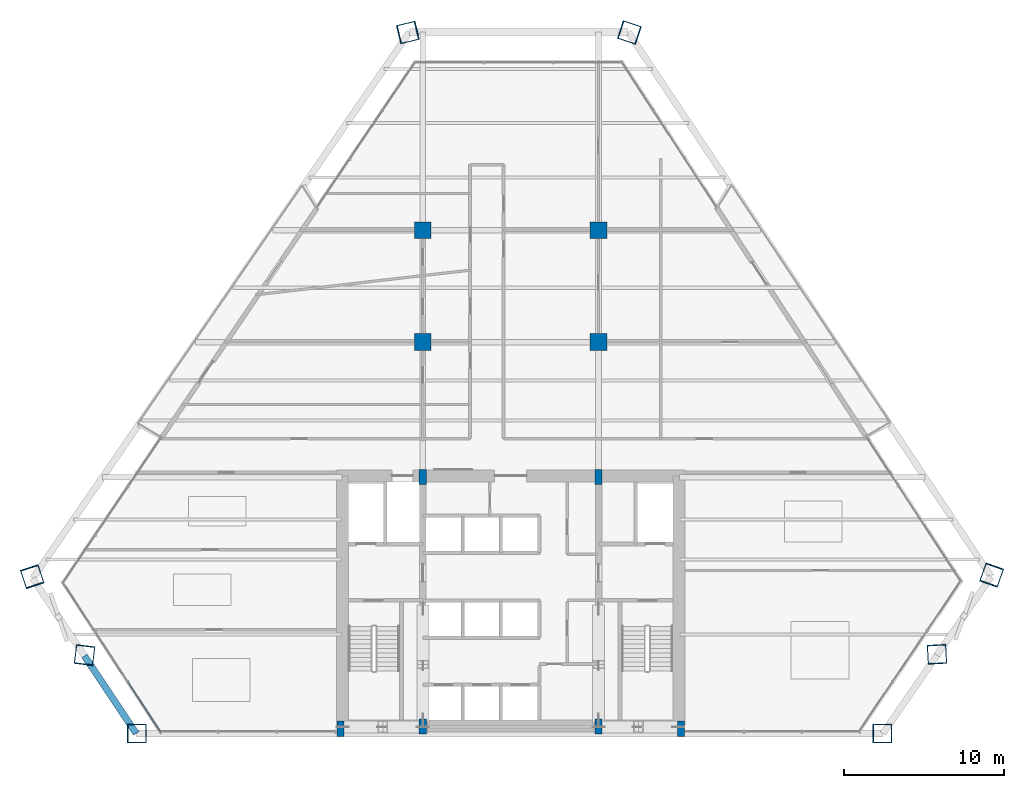
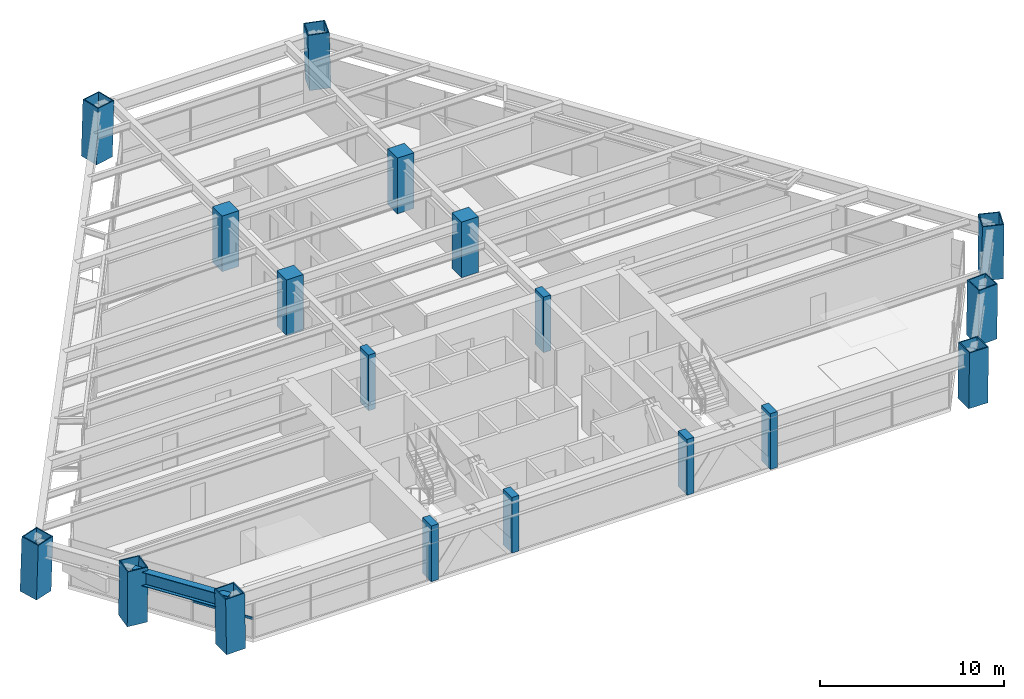
# One storey, part 1 of 14: 18 columns, 1 beam, 1 member, 1 element without a shape of its own.
"""IFC4 building model written with IfcOpenShell, lengths in metres."""

from ifc_helpers import new_model, si_unit, direction, frame, origin, origin_2d, place, context, subcontext, project, spatial, rectangle, hollow_rectangle, i_section, extrude, source, transform, mapped, material, material_profile, profile_set, type_object, type_shapes, element, aggregate, save


model = new_model("IFC4")

# Units and contexts
model_context = context("Model", 3, precision=1e-05, world=origin(), true_north=direction((0.0, 1.0)))
body_context = subcontext(model_context, "Body", "Model", "MODEL_VIEW")
ifc_project = project(units=[si_unit("LENGTHUNIT", "METRE"), si_unit("AREAUNIT", "SQUARE_METRE"), si_unit("VOLUMEUNIT", "CUBIC_METRE"), si_unit("PLANEANGLEUNIT", "RADIAN"), si_unit("MASSUNIT", "GRAM", prefix="KILO")], contexts=[model_context])

# Site, building, storey
site_placement = place(None, origin())
site = spatial("IfcSite", under=ifc_project, at=site_placement, CompositionType="ELEMENT")
building_placement = place(site_placement, origin())
building = spatial("IfcBuilding", under=site, at=building_placement, Name="Varnakhor Terracotta Tower", CompositionType="ELEMENT")
storey_placement = place(building_placement, frame((0.0, 0.0, 80.300048828125)))
storey = spatial("IfcBuildingStorey", under=building, at=storey_placement, Name="L19", CompositionType="ELEMENT", Elevation=80.300048828125)

# Columns
ifc_material_1 = material(Name="Concrete C50/60", Category="concrete")
ifc_material_profile_1 = material_profile(ifc_material_1, rectangle(XDim=0.449951171875, YDim=0.949951171875, at=origin_2d()), Name="RC PILASTER 950x450")
ifc_profile_set_1 = profile_set([ifc_material_profile_1], Name="Concrete C50/60")
column_type_1 = type_object("IfcColumnType", Name="COL-PIL-950x450", PredefinedType="PILASTER", material=ifc_profile_set_1)
shared_shape_1 = source(origin(), body_context, "Body", "SweptSolid", [
    extrude(rectangle(XDim=0.449951171875, YDim=0.949951171875, at=origin_2d()), origin(), (0.0, 0.0, 1.0), 3.699951171875),
])
for number, where, z_axis, x_axis, name in (
    (1, (-10.64990234375, 0.300048828125, 0.0), (0.0, 0.0, 1.0), (1.0, 0.0, 0.0), "L19 Core Pilaster CP1"),
    (2, (-5.5, 0.449951171875, 0.0), (0.0, 0.0, 1.0), (1.0, 0.0, 0.0), "L19 Core Pilaster CP2"),
    (3, (5.5, 0.449951171875, 0.0), (0.0, 0.0, 1.0), (1.0, 0.0, 0.0), "L19 Core Pilaster CP3"),
    (4, (10.64990234375, 0.300048828125, 0.0), (0.0, 0.0, 1.0), (1.0, 0.0, 0.0), "L19 Core Pilaster CP4"),
    (5, (-5.5, 16.050048828125, 0.0), (0.0, 0.0, 1.0), (1.0, 0.0, 0.0), "L19 Core Pilaster CP5"),
    (6, (5.5, 16.050048828125, 0.0), (0.0, 0.0, 1.0), (1.0, 0.0, 0.0), "L19 Core Pilaster CP6"),
):
    element("IfcColumn", number, at=place(storey_placement, frame(where, z_axis=z_axis, x_axis=x_axis)), inside=storey, type_object=column_type_1, Name=name, PredefinedType="PILASTER", context=body_context, shape_type="MappedRepresentation", body=[
        mapped(shared_shape_1, transform((0.0, 0.0, 0.0), scale=1.0)),
    ])
ifc_material_2 = material(Name="Concrete C60/75", Category="concrete")
ifc_material_profile_2 = material_profile(ifc_material_2, rectangle(XDim=1.050048828125, YDim=1.050048828125, at=origin_2d()), Name="RC 1050x1050")
ifc_profile_set_2 = profile_set([ifc_material_profile_2], Name="Concrete C60/75")
column_type_2 = type_object("IfcColumnType", Name="COL-RC-1050", PredefinedType="COLUMN", material=ifc_profile_set_2)
shared_shape_2 = source(origin(), body_context, "Body", "SweptSolid", [
    extrude(rectangle(XDim=1.050048828125, YDim=1.050048828125, at=origin_2d()), origin(), (0.0, 0.0, 1.0), 3.699951171875),
])
for number, where, z_axis, x_axis, name in (
    (7, (-5.5, 24.5, 0.0), (0.0, 0.0, 1.0), (1.0, 0.0, 0.0), "L19 Interior Tower Column IC1"),
    (8, (5.5, 24.5, 0.0), (0.0, 0.0, 1.0), (1.0, 0.0, 0.0), "L19 Interior Tower Column IC2"),
    (9, (-5.5, 31.5, 0.0), (0.0, 0.0, 1.0), (1.0, 0.0, 0.0), "L19 Interior Tower Column IC3"),
    (10, (5.5, 31.5, 0.0), (0.0, 0.0, 1.0), (1.0, 0.0, 0.0), "L19 Interior Tower Column IC4"),
):
    element("IfcColumn", number, at=place(storey_placement, frame(where, z_axis=z_axis, x_axis=x_axis)), inside=storey, type_object=column_type_2, Name=name, PredefinedType="COLUMN", context=body_context, shape_type="MappedRepresentation", body=[
        mapped(shared_shape_2, transform((0.0, 0.0, 0.0), scale=1.0)),
    ])
ifc_material_3 = material(Name="Steel S460", Category="steel")
ifc_material_profile_3 = material_profile(ifc_material_3, hollow_rectangle(XDim=1.199951171875, YDim=1.199951171875, WallThickness=0.06005859375, at=origin_2d()), Name="BOX 1200x1200x60")
ifc_profile_set_3 = profile_set([ifc_material_profile_3], Name="Steel S460")
column_type_3 = type_object("IfcColumnType", Name="COL-MEGA-1200", PredefinedType="COLUMN", material=ifc_profile_set_3)
shared_shape_3 = source(origin(), body_context, "Body", "SweptSolid", [
    extrude(hollow_rectangle(XDim=1.199951171875, YDim=1.199951171875, WallThickness=0.06005859375, at=origin_2d()), origin(), (0.0, 0.0, 1.0), 3.691650390625),
])
type_shapes(column_type_3, [shared_shape_3])
for number, where, z_axis, x_axis, name in (
    (11, (-23.382568359375, 0.0, 0.00439453125), (-0.015541478777, 0.0, 0.999879223925), (0.0, -1.0, 0.0), "L19 Perimeter Mega-Column M1"),
    (12, (26.6796875, 4.96875, 0.00439453125), (0.000859732037, -0.016202642235, 0.999868358958), (0.998595218897, 0.052986685084, 0.0), "L19 Perimeter Mega-Column M3"),
    (13, (-26.66845703125, 4.919677734375, 0.00439453125), (-0.002116226866, -0.017128211193, 0.999851061891), (0.992453723463, -0.122619765061, 0.0), "L19 Perimeter Mega-Column M8"),
):
    element("IfcColumn", number, at=place(storey_placement, frame(where, z_axis=z_axis, x_axis=x_axis)), inside=storey, type_object=column_type_3, Name=name, PredefinedType="COLUMN", context=body_context, shape_type="MappedRepresentation", body=[
        mapped(shared_shape_3, transform((0.0, 0.0, 0.0), scale=1.0)),
    ])
shared_shape_4 = source(origin(), body_context, "Body", "SweptSolid", [
    extrude(hollow_rectangle(XDim=1.199951171875, YDim=1.199951171875, WallThickness=0.06005859375, at=origin_2d()), origin(), (0.0, 0.0, 1.0), 3.69140625),
])
column_1_placement = place(storey_placement, frame((23.2490234375, 0.0, 0.00439453125), z_axis=(0.013161106184, 0.0, 0.999913388891), x_axis=(0.0, 1.0, 0.0)))
element("IfcColumn", 14, at=column_1_placement, inside=storey, type_object=column_type_3, Name="L19 Perimeter Mega-Column M2", PredefinedType="COLUMN", context=body_context, shape_type="MappedRepresentation", body=[
    mapped(shared_shape_4, transform((0.0, 0.0, 0.0), scale=1.0)),
])
shared_shape_5 = source(origin(), body_context, "Body", "SweptSolid", [
    extrude(hollow_rectangle(XDim=1.199951171875, YDim=1.199951171875, WallThickness=0.06005859375, at=origin_2d()), origin(), (0.0, 0.0, 1.0), 3.693359375),
])
column_2_placement = place(storey_placement, frame((30.110107421875, 9.9375, 0.00439453125), z_axis=(-0.01136970876, -0.032390449374, 0.999410620572), x_axis=(0.943557757349, -0.33120802911, 0.0)))
element("IfcColumn", 15, at=column_2_placement, inside=storey, type_object=column_type_3, Name="L19 Perimeter Mega-Column M4", PredefinedType="COLUMN", context=body_context, shape_type="MappedRepresentation", body=[
    mapped(shared_shape_5, transform((0.0, 0.0, 0.0), scale=1.0)),
])
shared_shape_6 = source(origin(), body_context, "Body", "SweptSolid", [
    extrude(hollow_rectangle(XDim=1.199951171875, YDim=1.199951171875, WallThickness=0.06005859375, at=origin_2d()), origin(), (0.0, 0.0, 1.0), 3.6923828125),
])
column_3_placement = place(storey_placement, frame((7.44384765625, 43.873291015625, 0.00439453125), z_axis=(-0.024332261238, 0.007934433012, 0.99967243927), x_axis=(-0.310020599831, -0.950729839481, 0.0)))
element("IfcColumn", 16, at=column_3_placement, inside=storey, type_object=column_type_3, Name="L19 Perimeter Mega-Column M5", PredefinedType="COLUMN", context=body_context, shape_type="MappedRepresentation", body=[
    mapped(shared_shape_6, transform((0.0, 0.0, 0.0), scale=1.0)),
])
shared_shape_7 = source(origin(), body_context, "Body", "SweptSolid", [
    extrude(hollow_rectangle(XDim=1.199951171875, YDim=1.199951171875, WallThickness=0.06005859375, at=origin_2d()), origin(), (0.0, 0.0, 1.0), 3.693603515625),
])
column_4_placement = place(storey_placement, frame((-29.954345703125, 9.839111328125, 0.00439453125), z_axis=(0.011302942868, -0.034173224928, 0.999352007143), x_axis=(0.94941529591, 0.314023241007, 0.0)))
element("IfcColumn", 17, at=column_4_placement, inside=storey, type_object=column_type_3, Name="L19 Perimeter Mega-Column M7", PredefinedType="COLUMN", context=body_context, shape_type="MappedRepresentation", body=[
    mapped(shared_shape_7, transform((0.0, 0.0, 0.0), scale=1.0)),
])
shared_shape_8 = source(origin(), body_context, "Body", "SweptSolid", [
    extrude(hollow_rectangle(XDim=1.199951171875, YDim=1.199951171875, WallThickness=0.06005859375, at=origin_2d()), origin(), (0.0, 0.0, 1.0), 3.693115234375),
])
column_5_placement = place(storey_placement, frame((-6.455810546875, 43.873291015625, 0.00439453125), z_axis=(0.032523594684, 0.007932584069, 0.999439487862), x_axis=(-0.236956180191, 0.971520338783, 0.0)))
element("IfcColumn", 18, at=column_5_placement, inside=storey, type_object=column_type_3, Name="L19 Perimeter Mega-Column M6", PredefinedType="COLUMN", context=body_context, shape_type="MappedRepresentation", body=[
    mapped(shared_shape_8, transform((0.0, 0.0, 0.0), scale=1.0)),
])

# Beam
ifc_material_4 = material(Name="Steel S355", Category="steel")
ifc_material_profile_4 = material_profile(ifc_material_4, i_section(OverallWidth=0.41796875, OverallDepth=0.927001953125, WebThickness=0.01904296875, FlangeThickness=0.031982421875, FilletRadius=0.01806640625, at=origin_2d()), Name="W36X231")
ifc_profile_set_4 = profile_set([ifc_material_profile_4], Name="Steel S355")
beam_type = type_object("IfcBeamType", Name="BM-W36X231", PredefinedType="BEAM", material=ifc_profile_set_4)
shared_shape_9 = source(origin(), body_context, "Body", "SweptSolid", [
    extrude(i_section(OverallWidth=0.41796875, OverallDepth=0.927001953125, WebThickness=0.01904296875, FlangeThickness=0.031982421875, FilletRadius=0.01806640625, at=origin_2d()), origin(), (0.0, 0.0, 1.0), 5.8359375),
])
beam_placement = place(storey_placement, frame((-26.67626953125, 4.8564453125, 2.986572265625), z_axis=(0.554545724277, -0.832153254927, 0.0), x_axis=(0.832153254927, 0.554545724277, 0.0)))
element("IfcBeam", 19, at=beam_placement, inside=storey, type_object=beam_type, Name="L19 Perimeter Spandrel 8", PredefinedType="BEAM", context=body_context, shape_type="MappedRepresentation", body=[
    mapped(shared_shape_9, transform((0.0, 0.0, 0.0), scale=1.0)),
])

# Curtain wall, member
ifc_material_5 = material(Name="Anodised Aluminium Curtain Wall System", Category="aluminium")
curtain_wall_type = type_object("IfcCurtainWallType", Name="CW-SYS-LOW-OFFICE", PredefinedType="NOTDEFINED", material=ifc_material_5)
curtain_wall_placement = place(storey_placement, origin())
curtain_wall = element("IfcCurtainWall", 20, at=curtain_wall_placement, inside=storey, type_object=curtain_wall_type, Name="L19 Facet Curtain Wall 6", PredefinedType="NOTDEFINED")
ifc_material_6 = material(Name="Anodised Aluminium 6063-T6", Category="aluminium")
ifc_material_profile_5 = material_profile(ifc_material_6, rectangle(XDim=0.074951171875, YDim=0.1650390625, at=origin_2d()), Name="ALU TRANSOM 75x165")
ifc_profile_set_5 = profile_set([ifc_material_profile_5], Name="Anodised Aluminium 6063-T6")
member_type = type_object("IfcMemberType", Name="CWT-02", PredefinedType="USERDEFINED", material=ifc_profile_set_5)
shared_shape_10 = source(origin(), body_context, "Body", "SweptSolid", [
    extrude(rectangle(XDim=0.074951171875, YDim=0.1650390625, at=origin_2d()), origin(), (0.0, 0.0, 1.0), 3.74169921875),
])
member_placement = place(storey_placement, frame((-21.898681640625, 0.0908203125, 1.2724609375), z_axis=(-0.546860778774, 0.837223559534, 0.0), x_axis=(-0.837223559534, -0.546860778774, 0.0)))
member = element("IfcMember", 21, at=member_placement, type_object=member_type, Name="L19 Facet Curtain Wall 6 Transom 1", ObjectType="TRANSOM", PredefinedType="USERDEFINED", context=body_context, shape_type="MappedRepresentation", body=[
    mapped(shared_shape_10, transform((0.0, 0.0, 0.0), scale=1.0)),
])
aggregate(curtain_wall, [member])

save(model, "model.ifc")
